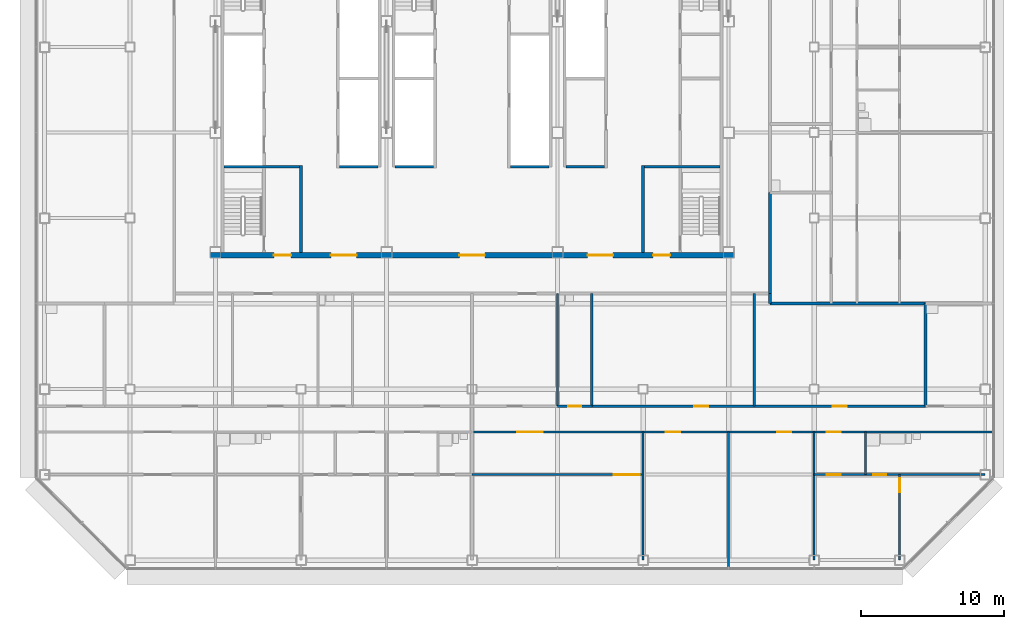
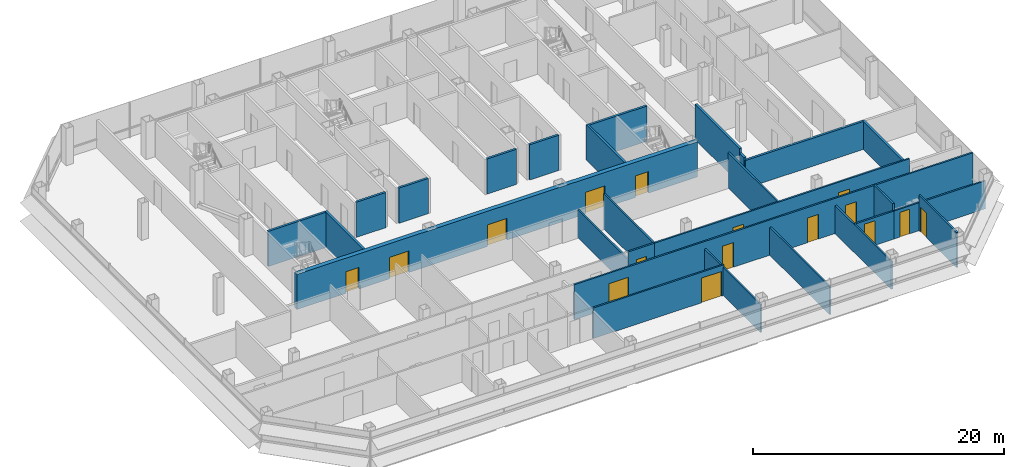
# One storey, part 20 of 26: 28 walls, 16 doors, 16 openings.
"""IFC4 building model written with IfcOpenShell, lengths in metres."""

from ifc_helpers import new_model, si_unit, direction, frame, frame_2d, origin, place, context, subcontext, project, spatial, rectangle, extrude, material, layer, layer_set, type_object, element, fill, save


model = new_model("IFC4")

# Units and contexts
model_context = context("Model", 3, precision=1e-05, world=origin(), true_north=direction((0.0, 1.0)))
body_context = subcontext(model_context, "Body", "Model", "MODEL_VIEW")
ifc_project = project(units=[si_unit("LENGTHUNIT", "METRE"), si_unit("AREAUNIT", "SQUARE_METRE"), si_unit("VOLUMEUNIT", "CUBIC_METRE"), si_unit("PLANEANGLEUNIT", "RADIAN"), si_unit("MASSUNIT", "GRAM", prefix="KILO")], contexts=[model_context])

# Site, building, storey
site_placement = place(None, origin())
site = spatial("IfcSite", under=ifc_project, at=site_placement, CompositionType="ELEMENT")
building_placement = place(site_placement, origin())
building = spatial("IfcBuilding", under=site, at=building_placement, Name="Sorahane Residences", CompositionType="ELEMENT")
storey_placement = place(building_placement, frame((0.0, 0.0, 147.39990234375)))
storey = spatial("IfcBuildingStorey", under=building, at=storey_placement, Name="L33", CompositionType="ELEMENT", Elevation=147.39990234375)

# Walls
ifc_material_1 = material(Name="Concrete blockwork C20 wall", Category="masonry")
ifc_layer_1 = layer(ifc_material_1, 0.199951171875)
ifc_layer_set_1 = layer_set([ifc_layer_1], Name="Corridor wall 200 EI 120")
wall_type_1 = type_object("IfcWallType", Name="Corridor wall 200 EI 120", PredefinedType="SOLIDWALL", material=ifc_layer_set_1)
wall_1_placement = place(storey_placement, frame((44.89990234375, 18.699951171875, 0.0), z_axis=(0.0, 0.0, 1.0), x_axis=(0.0, 1.0, 0.0)))
element("IfcWall", 1, at=wall_1_placement, inside=storey, type_object=wall_type_1, Name="L33 corridor wall", PredefinedType="SOLIDWALL", context=body_context, shape_type="SweptSolid", body=[
    extrude(rectangle(XDim=7.10009765625, YDim=0.199951171875, at=frame_2d((3.550048828125, 0.0))), origin(), (0.0, 0.0, 1.0), 3.420166015625),
])
ifc_material_2 = material(Name="Concrete C30", Category="concrete")
ifc_layer_2 = layer(ifc_material_2, 0.199951171875)
ifc_layer_set_2 = layer_set([ifc_layer_2], Name="Front room wall 200 EI 120")
wall_type_2 = type_object("IfcWallType", Name="Front room wall 200 EI 120", PredefinedType="PARTITIONING", material=ifc_layer_set_2)
for number, where, z_axis, x_axis, name in (
    (2, (12.0, 21.60009765625, 0.0), (0.0, 0.0, 1.0), (0.0, 1.0, 0.0), "L33 front room wall"),
    (3, (36.0, 21.60009765625, 0.0), (0.0, 0.0, 1.0), (0.0, 1.0, 0.0), "L33 front room wall"),
):
    element("IfcWall", number, at=place(storey_placement, frame(where, z_axis=z_axis, x_axis=x_axis)), inside=storey, type_object=wall_type_2, Name=name, PredefinedType="PARTITIONING", context=body_context, shape_type="SweptSolid", body=[
        extrude(rectangle(XDim=6.099853515625, YDim=0.199951171875, at=frame_2d((3.0498046875, 0.0))), origin(), (0.0, 0.0, 1.0), 3.420166015625),
    ])
ifc_material_3 = material(Name="Concrete blockwork C20 wall", Category="masonry")
ifc_layer_3 = layer(ifc_material_3, 0.199951171875)
ifc_layer_set_3 = layer_set([ifc_layer_3], Name="Kitchen wall 200 EI 180")
wall_type_3 = type_object("IfcWallType", Name="Kitchen wall 200 EI 180", PredefinedType="SOLIDWALL", material=ifc_layer_set_3)
wall_2_placement = place(storey_placement, frame((55.800048828125, 10.800048828125, 0.0), z_axis=(0.0, 0.0, 1.0), x_axis=(0.0, 1.0, 0.0)))
element("IfcWall", 4, at=wall_2_placement, inside=storey, type_object=wall_type_3, Name="L33 kitchen wall", PredefinedType="SOLIDWALL", context=body_context, shape_type="SweptSolid", body=[
    extrude(rectangle(XDim=7.199951171875, YDim=0.199951171875, at=frame_2d((3.60009765625, 0.0))), origin(), (0.0, 0.0, 1.0), 2.72021484375),
])
ifc_material_4 = material(Name="Concrete C30", Category="concrete")
ifc_layer_4 = layer(ifc_material_4, 0.199951171875)
ifc_layer_set_4 = layer_set([ifc_layer_4], Name="Lift shaft wall 200 EI 120")
wall_type_4 = type_object("IfcWallType", Name="Lift shaft wall 200 EI 120", PredefinedType="SOLIDWALL", material=ifc_layer_set_4)
for number, where, z_axis, x_axis, name in (
    (5, (14.699951171875, 27.60009765625, 0.0), (0.0, 0.0, 1.0), (1.0, 0.0, 0.0), "L33 lift shaft wall"),
    (6, (18.60009765625, 27.60009765625, 0.0), (0.0, 0.0, 1.0), (1.0, 0.0, 0.0), "L33 lift shaft wall"),
):
    element("IfcWall", number, at=place(storey_placement, frame(where, z_axis=z_axis, x_axis=x_axis)), inside=storey, type_object=wall_type_4, Name=name, PredefinedType="SOLIDWALL", context=body_context, shape_type="SweptSolid", body=[
        extrude(rectangle(XDim=2.699951171875, YDim=0.199951171875, at=frame_2d((1.35009765625, 0.0))), origin(), (0.0, 0.0, 1.0), 3.420166015625),
    ])
ifc_material_5 = material(Name="Gypsum board partition on steel studs", Category="steel")
ifc_layer_5 = layer(ifc_material_5, 0.14990234375)
ifc_layer_set_5 = layer_set([ifc_layer_5], Name="Partition 150 EI 90")
wall_type_5 = type_object("IfcWallType", Name="Partition 150 EI 90", PredefinedType="PARTITIONING", material=ifc_layer_set_5)
wall_3_placement = place(storey_placement, frame((36.0, 0.0, 0.0), z_axis=(0.0, 0.0, 1.0), x_axis=(0.0, 1.0, 0.0)))
element("IfcWall", 7, at=wall_3_placement, inside=storey, type_object=wall_type_5, Name="L33 partition", PredefinedType="PARTITIONING", context=body_context, shape_type="SweptSolid", body=[
    extrude(rectangle(XDim=9.0, YDim=0.14990234375, at=frame_2d((4.5, 0.0))), origin(), (0.0, 0.0, 1.0), 2.72021484375),
])
wall_4_placement = place(storey_placement, frame((42.0, -0.60009765625, 0.0), z_axis=(0.0, 0.0, 1.0), x_axis=(0.0, 1.0, 0.0)))
element("IfcWall", 8, at=wall_4_placement, inside=storey, type_object=wall_type_5, Name="L33 partition", PredefinedType="PARTITIONING", context=body_context, shape_type="SweptSolid", body=[
    extrude(rectangle(XDim=9.60009765625, YDim=0.14990234375, at=frame_2d((4.800048828125, 0.0))), origin(), (0.0, 0.0, 1.0), 2.72021484375),
])
wall_5_placement = place(storey_placement, frame((43.800048828125, 10.800048828125, 0.0), z_axis=(0.0, 0.0, 1.0), x_axis=(0.0, 1.0, 0.0)))
element("IfcWall", 9, at=wall_5_placement, inside=storey, type_object=wall_type_5, Name="L33 partition", PredefinedType="PARTITIONING", context=body_context, shape_type="SweptSolid", body=[
    extrude(rectangle(XDim=7.89990234375, YDim=0.14990234375, at=frame_2d((3.949951171875, 0.0))), origin(), (0.0, 0.0, 1.0), 3.420166015625),
])
wall_6_placement = place(storey_placement, frame((48.0, 0.0, 0.0), z_axis=(0.0, 0.0, 1.0), x_axis=(0.0, 1.0, 0.0)))
element("IfcWall", 10, at=wall_6_placement, inside=storey, type_object=wall_type_5, Name="L33 partition", PredefinedType="PARTITIONING", context=body_context, shape_type="SweptSolid", body=[
    extrude(rectangle(XDim=9.0, YDim=0.14990234375, at=frame_2d((4.5, 0.0))), origin(), (0.0, 0.0, 1.0), 2.72021484375),
])

# Wall, opening, door
wall_7_placement = place(storey_placement, frame((54.0, 0.0, 0.0), z_axis=(0.0, 0.0, 1.0), x_axis=(0.0, 1.0, 0.0)))
wall_7 = element("IfcWall", 11, at=wall_7_placement, inside=storey, type_object=wall_type_5, Name="L33 partition", PredefinedType="PARTITIONING", context=body_context, shape_type="SweptSolid", body=[
    extrude(rectangle(XDim=6.0, YDim=0.14990234375, at=frame_2d((3.0, 0.0))), origin(), (0.0, 0.0, 1.0), 3.420166015625),
])
opening_1_placement = place(wall_7_placement, frame((4.75, 0.0, 0.0)))
opening_1 = element("IfcOpeningElement", 12, at=opening_1_placement, cuts=wall_7, Name="Opening L33-26", PredefinedType="OPENING", context=body_context, shape_type="SweptSolid", body=[
    extrude(rectangle(XDim=1.0, YDim=2.39990234375, at=frame_2d((0.5, 1.199951171875))), frame((0.0, 0.0849609375, 0.0), z_axis=(0.0, -1.0, 0.0), x_axis=(1.0, 0.0, 0.0)), (0.0, 0.0, 1.0), 0.169921875),
])
ifc_material_6 = material(Name="Timber veneered fire door", Category="wood")
door_type_1 = type_object("IfcDoorType", Name="Room door 1000x2400 FD30", OperationType="NOTDEFINED", PredefinedType="DOOR", material=ifc_material_6)
door_1_placement = place(opening_1_placement, frame((1.0, 0.0, 0.0), z_axis=(0.0, 0.0, 1.0), x_axis=(-1.0, 0.0, 0.0)))
door_1 = element("IfcDoor", 13, at=door_1_placement, inside=storey, type_object=door_type_1, Name="Room door L33-26", OperationType="SINGLE_SWING_LEFT", OverallHeight=2.39990234375, OverallWidth=1.0, PredefinedType="DOOR", context=body_context, shape_type="SweptSolid", body=[
    extrude(rectangle(XDim=1.0, YDim=2.39990234375, at=frame_2d((0.5, 1.199951171875))), frame((0.0, 0.02490234375, 0.0), z_axis=(0.0, -1.0, 0.0), x_axis=(1.0, 0.0, 0.0)), (0.0, 0.0, 1.0), 0.050048828125),
])
fill(opening_1, door_1)

# Wall, openings, doors
wall_8_placement = place(storey_placement, frame((32.39990234375, 10.800048828125, 0.0), z_axis=(0.0, 0.0, 1.0), x_axis=(1.0, 0.0, 0.0)))
wall_8 = element("IfcWall", 14, at=wall_8_placement, inside=storey, type_object=wall_type_5, Name="L33 partition", PredefinedType="PARTITIONING", context=body_context, shape_type="SweptSolid", body=[
    extrude(rectangle(XDim=23.400146484375, YDim=0.14990234375, at=frame_2d((11.7001953125, 0.0))), origin(), (0.0, 0.0, 1.0), 3.420166015625),
])
opening_2_placement = place(wall_8_placement, frame((7.179931640625, 0.0, 0.0)))
opening_2 = element("IfcOpeningElement", 15, at=opening_2_placement, cuts=wall_8, Name="Opening L33-17", PredefinedType="OPENING", context=body_context, shape_type="SweptSolid", body=[
    extrude(rectangle(XDim=1.0, YDim=2.39990234375, at=frame_2d((0.5, 1.199951171875))), frame((0.0, 0.0849609375, 0.0), z_axis=(0.0, -1.0, 0.0), x_axis=(1.0, 0.0, 0.0)), (0.0, 0.0, 1.0), 0.169921875),
])
opening_3_placement = place(wall_8_placement, frame((16.89990234375, 0.0, 0.0)))
opening_3 = element("IfcOpeningElement", 16, at=opening_3_placement, cuts=wall_8, Name="Opening L33-18", PredefinedType="OPENING", context=body_context, shape_type="SweptSolid", body=[
    extrude(rectangle(XDim=1.0, YDim=2.39990234375, at=frame_2d((0.5, 1.199951171875))), frame((0.0, 0.0849609375, 0.0), z_axis=(0.0, -1.0, 0.0), x_axis=(1.0, 0.0, 0.0)), (0.0, 0.0, 1.0), 0.169921875),
])
door_2_placement = place(opening_2_placement, origin())
door_2 = element("IfcDoor", 17, at=door_2_placement, inside=storey, type_object=door_type_1, Name="Room door L33-17", OperationType="SINGLE_SWING_RIGHT", OverallHeight=2.39990234375, OverallWidth=1.0, PredefinedType="DOOR", context=body_context, shape_type="SweptSolid", body=[
    extrude(rectangle(XDim=1.0, YDim=2.39990234375, at=frame_2d((0.5, 1.199951171875))), frame((0.0, 0.02490234375, 0.0), z_axis=(0.0, -1.0, 0.0), x_axis=(1.0, 0.0, 0.0)), (0.0, 0.0, 1.0), 0.050048828125),
])
fill(opening_2, door_2)
door_3_placement = place(opening_3_placement, origin())
door_3 = element("IfcDoor", 18, at=door_3_placement, inside=storey, type_object=door_type_1, Name="Room door L33-18", OperationType="SINGLE_SWING_RIGHT", OverallHeight=2.39990234375, OverallWidth=1.0, PredefinedType="DOOR", context=body_context, shape_type="SweptSolid", body=[
    extrude(rectangle(XDim=1.0, YDim=2.39990234375, at=frame_2d((0.5, 1.199951171875))), frame((0.0, 0.02490234375, 0.0), z_axis=(0.0, -1.0, 0.0), x_axis=(1.0, 0.0, 0.0)), (0.0, 0.0, 1.0), 0.050048828125),
])
fill(opening_3, door_3)

# Wall, opening, door
wall_9_placement = place(storey_placement, frame((24.0, 6.0, 0.0), z_axis=(0.0, 0.0, 1.0), x_axis=(1.0, 0.0, 0.0)))
wall_9 = element("IfcWall", 19, at=wall_9_placement, inside=storey, type_object=wall_type_5, Name="L33 partition", PredefinedType="PARTITIONING", context=body_context, shape_type="SweptSolid", body=[
    extrude(rectangle(XDim=12.0, YDim=0.14990234375, at=frame_2d((6.0, 0.0))), origin(), (0.0, 0.0, 1.0), 2.97021484375),
])
opening_4_placement = place(wall_9_placement, frame((9.949951171875, 0.0, 0.0)))
opening_4 = element("IfcOpeningElement", 20, at=opening_4_placement, cuts=wall_9, Name="Opening L33-24", PredefinedType="OPENING", context=body_context, shape_type="SweptSolid", body=[
    extrude(rectangle(XDim=1.800048828125, YDim=2.39990234375, at=frame_2d((0.89990234375, 1.199951171875))), frame((0.0, 0.0849609375, 0.0), z_axis=(0.0, -1.0, 0.0), x_axis=(1.0, 0.0, 0.0)), (0.0, 0.0, 1.0), 0.169921875),
])
ifc_material_7 = material(Name="Timber veneered fire door", Category="wood")
door_type_2 = type_object("IfcDoorType", Name="Double door 1800x2400 FD30", OperationType="NOTDEFINED", PredefinedType="DOOR", material=ifc_material_7)
door_4_placement = place(opening_4_placement, frame((1.800048828125, 0.0, 0.0), z_axis=(0.0, 0.0, 1.0), x_axis=(-1.0, 0.0, 0.0)))
door_4 = element("IfcDoor", 21, at=door_4_placement, inside=storey, type_object=door_type_2, Name="Double door L33-24", OperationType="SINGLE_SWING_LEFT", OverallHeight=2.39990234375, OverallWidth=1.800048828125, PredefinedType="DOOR", context=body_context, shape_type="SweptSolid", body=[
    extrude(rectangle(XDim=1.800048828125, YDim=2.39990234375, at=frame_2d((0.89990234375, 1.199951171875))), frame((0.0, 0.02490234375, 0.0), z_axis=(0.0, -1.0, 0.0), x_axis=(1.0, 0.0, 0.0)), (0.0, 0.0, 1.0), 0.050048828125),
])
fill(opening_4, door_4)

wall_10_placement = place(storey_placement, frame((48.0, 6.0, 0.0), z_axis=(0.0, 0.0, 1.0), x_axis=(1.0, 0.0, 0.0)))
wall_10 = element("IfcWall", 22, at=wall_10_placement, inside=storey, type_object=wall_type_5, Name="L33 partition", PredefinedType="PARTITIONING", context=body_context, shape_type="SweptSolid", body=[
    extrude(rectangle(XDim=3.60009765625, YDim=0.14990234375, at=frame_2d((1.800048828125, 0.0))), origin(), (0.0, 0.0, 1.0), 2.72021484375),
])
opening_5_placement = place(wall_10_placement, frame((0.8798828125, 0.0, 0.0)))
opening_5 = element("IfcOpeningElement", 23, at=opening_5_placement, cuts=wall_10, Name="Opening L33-25", PredefinedType="OPENING", context=body_context, shape_type="SweptSolid", body=[
    extrude(rectangle(XDim=1.0, YDim=2.39990234375, at=frame_2d((0.5, 1.199951171875))), frame((0.0, 0.0849609375, 0.0), z_axis=(0.0, -1.0, 0.0), x_axis=(1.0, 0.0, 0.0)), (0.0, 0.0, 1.0), 0.169921875),
])
door_5_placement = place(opening_5_placement, frame((1.0, 0.0, 0.0), z_axis=(0.0, 0.0, 1.0), x_axis=(-1.0, 0.0, 0.0)))
door_5 = element("IfcDoor", 24, at=door_5_placement, inside=storey, type_object=door_type_1, Name="Room door L33-25", OperationType="SINGLE_SWING_LEFT", OverallHeight=2.39990234375, OverallWidth=1.0, PredefinedType="DOOR", context=body_context, shape_type="SweptSolid", body=[
    extrude(rectangle(XDim=1.0, YDim=2.39990234375, at=frame_2d((0.5, 1.199951171875))), frame((0.0, 0.02490234375, 0.0), z_axis=(0.0, -1.0, 0.0), x_axis=(1.0, 0.0, 0.0)), (0.0, 0.0, 1.0), 0.050048828125),
])
fill(opening_5, door_5)

# Wall, openings, doors
wall_11_placement = place(storey_placement, frame((24.0, 9.0, 0.0), z_axis=(0.0, 0.0, 1.0), x_axis=(1.0, 0.0, 0.0)))
wall_11 = element("IfcWall", 25, at=wall_11_placement, inside=storey, type_object=wall_type_5, Name="L33 partition", PredefinedType="PARTITIONING", context=body_context, shape_type="SweptSolid", body=[
    extrude(rectangle(XDim=27.60009765625, YDim=0.14990234375, at=frame_2d((13.800048828125, 0.0))), origin(), (0.0, 0.0, 1.0), 3.420166015625),
])
opening_6_placement = place(wall_11_placement, frame((3.159912109375, 0.0, 0.0)))
opening_6 = element("IfcOpeningElement", 26, at=opening_6_placement, cuts=wall_11, Name="Opening L33-20", PredefinedType="OPENING", context=body_context, shape_type="SweptSolid", body=[
    extrude(rectangle(XDim=1.800048828125, YDim=2.39990234375, at=frame_2d((0.89990234375, 1.199951171875))), frame((0.0, 0.0849609375, 0.0), z_axis=(0.0, -1.0, 0.0), x_axis=(1.0, 0.0, 0.0)), (0.0, 0.0, 1.0), 0.169921875),
])
opening_7_placement = place(wall_11_placement, frame((13.60009765625, 0.0, 0.0)))
opening_7 = element("IfcOpeningElement", 27, at=opening_7_placement, cuts=wall_11, Name="Opening L33-21", PredefinedType="OPENING", context=body_context, shape_type="SweptSolid", body=[
    extrude(rectangle(XDim=1.0, YDim=2.39990234375, at=frame_2d((0.5, 1.199951171875))), frame((0.0, 0.0849609375, 0.0), z_axis=(0.0, -1.0, 0.0), x_axis=(1.0, 0.0, 0.0)), (0.0, 0.0, 1.0), 0.169921875),
])
opening_8_placement = place(wall_11_placement, frame((21.39990234375, 0.0, 0.0)))
opening_8 = element("IfcOpeningElement", 28, at=opening_8_placement, cuts=wall_11, Name="Opening L33-22", PredefinedType="OPENING", context=body_context, shape_type="SweptSolid", body=[
    extrude(rectangle(XDim=1.0, YDim=2.39990234375, at=frame_2d((0.5, 1.199951171875))), frame((0.0, 0.0849609375, 0.0), z_axis=(0.0, -1.0, 0.0), x_axis=(1.0, 0.0, 0.0)), (0.0, 0.0, 1.0), 0.169921875),
])
opening_9_placement = place(wall_11_placement, frame((24.8798828125, 0.0, 0.0)))
opening_9 = element("IfcOpeningElement", 29, at=opening_9_placement, cuts=wall_11, Name="Opening L33-23", PredefinedType="OPENING", context=body_context, shape_type="SweptSolid", body=[
    extrude(rectangle(XDim=1.0, YDim=2.39990234375, at=frame_2d((0.5, 1.199951171875))), frame((0.0, 0.0849609375, 0.0), z_axis=(0.0, -1.0, 0.0), x_axis=(1.0, 0.0, 0.0)), (0.0, 0.0, 1.0), 0.169921875),
])
door_6_placement = place(opening_6_placement, frame((1.800048828125, 0.0, 0.0), z_axis=(0.0, 0.0, 1.0), x_axis=(-1.0, 0.0, 0.0)))
door_6 = element("IfcDoor", 30, at=door_6_placement, inside=storey, type_object=door_type_2, Name="Double door L33-20", OperationType="SINGLE_SWING_RIGHT", OverallHeight=2.39990234375, OverallWidth=1.800048828125, PredefinedType="DOOR", context=body_context, shape_type="SweptSolid", body=[
    extrude(rectangle(XDim=1.800048828125, YDim=2.39990234375, at=frame_2d((0.89990234375, 1.199951171875))), frame((0.0, 0.02490234375, 0.0), z_axis=(0.0, -1.0, 0.0), x_axis=(1.0, 0.0, 0.0)), (0.0, 0.0, 1.0), 0.050048828125),
])
fill(opening_6, door_6)
door_7_placement = place(opening_7_placement, frame((1.0, 0.0, 0.0), z_axis=(0.0, 0.0, 1.0), x_axis=(-1.0, 0.0, 0.0)))
door_7 = element("IfcDoor", 31, at=door_7_placement, inside=storey, type_object=door_type_1, Name="Room door L33-21", OperationType="SINGLE_SWING_LEFT", OverallHeight=2.39990234375, OverallWidth=1.0, PredefinedType="DOOR", context=body_context, shape_type="SweptSolid", body=[
    extrude(rectangle(XDim=1.0, YDim=2.39990234375, at=frame_2d((0.5, 1.199951171875))), frame((0.0, 0.02490234375, 0.0), z_axis=(0.0, -1.0, 0.0), x_axis=(1.0, 0.0, 0.0)), (0.0, 0.0, 1.0), 0.050048828125),
])
fill(opening_7, door_7)
door_8_placement = place(opening_8_placement, frame((1.0, 0.0, 0.0), z_axis=(0.0, 0.0, 1.0), x_axis=(-1.0, 0.0, 0.0)))
door_8 = element("IfcDoor", 32, at=door_8_placement, inside=storey, type_object=door_type_1, Name="Room door L33-22", OperationType="SINGLE_SWING_RIGHT", OverallHeight=2.39990234375, OverallWidth=1.0, PredefinedType="DOOR", context=body_context, shape_type="SweptSolid", body=[
    extrude(rectangle(XDim=1.0, YDim=2.39990234375, at=frame_2d((0.5, 1.199951171875))), frame((0.0, 0.02490234375, 0.0), z_axis=(0.0, -1.0, 0.0), x_axis=(1.0, 0.0, 0.0)), (0.0, 0.0, 1.0), 0.050048828125),
])
fill(opening_8, door_8)
door_9_placement = place(opening_9_placement, frame((1.0, 0.0, 0.0), z_axis=(0.0, 0.0, 1.0), x_axis=(-1.0, 0.0, 0.0)))
door_9 = element("IfcDoor", 33, at=door_9_placement, inside=storey, type_object=door_type_1, Name="Room door L33-23", OperationType="SINGLE_SWING_LEFT", OverallHeight=2.39990234375, OverallWidth=1.0, PredefinedType="DOOR", context=body_context, shape_type="SweptSolid", body=[
    extrude(rectangle(XDim=1.0, YDim=2.39990234375, at=frame_2d((0.5, 1.199951171875))), frame((0.0, 0.02490234375, 0.0), z_axis=(0.0, -1.0, 0.0), x_axis=(1.0, 0.0, 0.0)), (0.0, 0.0, 1.0), 0.050048828125),
])
fill(opening_9, door_9)

# Walls
ifc_material_8 = material(Name="Concrete blockwork C20 wall", Category="masonry")
ifc_layer_6 = layer(ifc_material_8, 0.199951171875)
ifc_layer_set_6 = layer_set([ifc_layer_6], Name="Party wall 200 EI 120")
wall_type_6 = type_object("IfcWallType", Name="Party wall 200 EI 120", PredefinedType="SOLIDWALL", material=ifc_layer_set_6)
wall_12_placement = place(storey_placement, frame((44.89990234375, 18.0, 0.0), z_axis=(0.0, 0.0, 1.0), x_axis=(0.0, 1.0, 0.0)))
element("IfcWall", 34, at=wall_12_placement, inside=storey, type_object=wall_type_6, Name="L33 party wall", PredefinedType="SOLIDWALL", context=body_context, shape_type="SweptSolid", body=[
    extrude(rectangle(XDim=0.699951171875, YDim=0.199951171875, at=frame_2d((0.35009765625, 0.0))), origin(), (0.0, 0.0, 1.0), 2.97021484375),
])
wall_13_placement = place(storey_placement, frame((44.89990234375, 18.0, 0.0), z_axis=(0.0, 0.0, 1.0), x_axis=(1.0, 0.0, 0.0)))
element("IfcWall", 35, at=wall_13_placement, inside=storey, type_object=wall_type_6, Name="L33 party wall", PredefinedType="SOLIDWALL", context=body_context, shape_type="SweptSolid", body=[
    extrude(rectangle(XDim=10.900146484375, YDim=0.199951171875, at=frame_2d((5.4501953125, 0.0))), origin(), (0.0, 0.0, 1.0), 2.72021484375),
])
ifc_material_9 = material(Name="Concrete C30", Category="concrete")
ifc_layer_7 = layer(ifc_material_9, 0.199951171875)
ifc_layer_set_7 = layer_set([ifc_layer_7], Name="Riser shaft wall 200 EI 120")
wall_type_7 = type_object("IfcWallType", Name="Riser shaft wall 200 EI 120", PredefinedType="SOLIDWALL", material=ifc_layer_set_7)
wall_14_placement = place(storey_placement, frame((26.699951171875, 27.60009765625, 0.0), z_axis=(0.0, 0.0, 1.0), x_axis=(1.0, 0.0, 0.0)))
element("IfcWall", 36, at=wall_14_placement, inside=storey, type_object=wall_type_7, Name="L33 riser wall", PredefinedType="SOLIDWALL", context=body_context, shape_type="SweptSolid", body=[
    extrude(rectangle(XDim=2.699951171875, YDim=0.199951171875, at=frame_2d((1.35009765625, 0.0))), origin(), (0.0, 0.0, 1.0), 3.420166015625),
])
ifc_material_10 = material(Name="Concrete C30", Category="concrete")
ifc_layer_8 = layer(ifc_material_10, 0.199951171875)
ifc_layer_set_8 = layer_set([ifc_layer_8], Name="Service room partition 200 EI 60")
wall_type_8 = type_object("IfcWallType", Name="Service room partition 200 EI 60", PredefinedType="PARTITIONING", material=ifc_layer_set_8)
wall_15_placement = place(storey_placement, frame((30.60009765625, 27.60009765625, 0.0), z_axis=(0.0, 0.0, 1.0), x_axis=(1.0, 0.0, 0.0)))
element("IfcWall", 37, at=wall_15_placement, inside=storey, type_object=wall_type_8, Name="L33 service room wall", PredefinedType="PARTITIONING", context=body_context, shape_type="SweptSolid", body=[
    extrude(rectangle(XDim=2.699951171875, YDim=0.199951171875, at=frame_2d((1.35009765625, 0.0))), origin(), (0.0, 0.0, 1.0), 3.420166015625),
])
ifc_material_11 = material(Name="Concrete C30", Category="concrete")
ifc_layer_9 = layer(ifc_material_11, 0.199951171875)
ifc_layer_set_9 = layer_set([ifc_layer_9], Name="Stair enclosure wall 200 EI 120")
wall_type_9 = type_object("IfcWallType", Name="Stair enclosure wall 200 EI 120", PredefinedType="SOLIDWALL", material=ifc_layer_set_9)
for number, where, z_axis, x_axis, name in (
    (38, (36.10009765625, 27.60009765625, 0.0), (0.0, 0.0, 1.0), (1.0, 0.0, 0.0), "L33 stair enclosure wall"),
    (39, (6.60009765625, 27.60009765625, 0.0), (0.0, 0.0, 1.0), (1.0, 0.0, 0.0), "L33 stair enclosure wall"),
):
    element("IfcWall", number, at=place(storey_placement, frame(where, z_axis=z_axis, x_axis=x_axis)), inside=storey, type_object=wall_type_9, Name=name, PredefinedType="SOLIDWALL", context=body_context, shape_type="SweptSolid", body=[
        extrude(rectangle(XDim=5.2998046875, YDim=0.199951171875, at=frame_2d((2.64990234375, 0.0))), origin(), (0.0, 0.0, 1.0), 3.420166015625),
    ])

# Wall, openings, doors
ifc_material_12 = material(Name="Concrete C30", Category="concrete")
ifc_layer_10 = layer(ifc_material_12, 0.39990234375)
ifc_layer_set_10 = layer_set([ifc_layer_10], Name="Waiting hall wall 400 EI 120")
wall_type_10 = type_object("IfcWallType", Name="Waiting hall wall 400 EI 120", PredefinedType="SOLIDWALL", material=ifc_layer_set_10)
wall_16_placement = place(storey_placement, frame((5.60009765625, 21.39990234375, 0.0), z_axis=(0.0, 0.0, 1.0), x_axis=(1.0, 0.0, 0.0)))
wall_16 = element("IfcWall", 40, at=wall_16_placement, inside=storey, type_object=wall_type_10, Name="L33 waiting hall wall", PredefinedType="SOLIDWALL", context=body_context, shape_type="SweptSolid", body=[
    extrude(rectangle(XDim=36.7998046875, YDim=0.39990234375, at=frame_2d((18.39990234375, 0.0))), origin(), (0.0, 0.0, 1.0), 3.420166015625),
])
opening_10_placement = place(wall_16_placement, frame((8.5, 0.0, 0.0)))
opening_10 = element("IfcOpeningElement", 41, at=opening_10_placement, cuts=wall_16, Name="Opening L33-C01", PredefinedType="OPENING", context=body_context, shape_type="SweptSolid", body=[
    extrude(rectangle(XDim=1.800048828125, YDim=2.10009765625, at=frame_2d((0.89990234375, 1.050048828125))), frame((0.0, 0.2099609375, 0.0), z_axis=(0.0, -1.0, 0.0), x_axis=(1.0, 0.0, 0.0)), (0.0, 0.0, 1.0), 0.419921875),
])
opening_11_placement = place(wall_16_placement, frame((17.5, 0.0, 0.0)))
opening_11 = element("IfcOpeningElement", 42, at=opening_11_placement, cuts=wall_16, Name="Opening L33-C02", PredefinedType="OPENING", context=body_context, shape_type="SweptSolid", body=[
    extrude(rectangle(XDim=1.800048828125, YDim=2.10009765625, at=frame_2d((0.89990234375, 1.050048828125))), frame((0.0, 0.2099609375, 0.0), z_axis=(0.0, -1.0, 0.0), x_axis=(1.0, 0.0, 0.0)), (0.0, 0.0, 1.0), 0.419921875),
])
opening_12_placement = place(wall_16_placement, frame((26.5, 0.0, 0.0)))
opening_12 = element("IfcOpeningElement", 43, at=opening_12_placement, cuts=wall_16, Name="Opening L33-C03", PredefinedType="OPENING", context=body_context, shape_type="SweptSolid", body=[
    extrude(rectangle(XDim=1.800048828125, YDim=2.10009765625, at=frame_2d((0.89990234375, 1.050048828125))), frame((0.0, 0.2099609375, 0.0), z_axis=(0.0, -1.0, 0.0), x_axis=(1.0, 0.0, 0.0)), (0.0, 0.0, 1.0), 0.419921875),
])
opening_13_placement = place(wall_16_placement, frame((4.5, 0.0, 0.0)))
opening_13 = element("IfcOpeningElement", 44, at=opening_13_placement, cuts=wall_16, Name="Opening L33-C04", PredefinedType="OPENING", context=body_context, shape_type="SweptSolid", body=[
    extrude(rectangle(XDim=1.199951171875, YDim=2.10009765625, at=frame_2d((0.60009765625, 1.050048828125))), frame((0.0, 0.2099609375, 0.0), z_axis=(0.0, -1.0, 0.0), x_axis=(1.0, 0.0, 0.0)), (0.0, 0.0, 1.0), 0.419921875),
])
opening_14_placement = place(wall_16_placement, frame((31.10009765625, 0.0, 0.0)))
opening_14 = element("IfcOpeningElement", 45, at=opening_14_placement, cuts=wall_16, Name="Opening L33-C05", PredefinedType="OPENING", context=body_context, shape_type="SweptSolid", body=[
    extrude(rectangle(XDim=1.199951171875, YDim=2.10009765625, at=frame_2d((0.60009765625, 1.050048828125))), frame((0.0, 0.2099609375, 0.0), z_axis=(0.0, -1.0, 0.0), x_axis=(1.0, 0.0, 0.0)), (0.0, 0.0, 1.0), 0.419921875),
])
ifc_material_13 = material(Name="Steel", Category="steel")
door_type_3 = type_object("IfcDoorType", Name="Stair front room door 1200x2100 FD120", OperationType="NOTDEFINED", PredefinedType="DOOR", material=ifc_material_13)
door_10_placement = place(opening_13_placement, frame((1.199951171875, 0.0, 0.0), z_axis=(0.0, 0.0, 1.0), x_axis=(-1.0, 0.0, 0.0)))
door_10 = element("IfcDoor", 46, at=door_10_placement, inside=storey, type_object=door_type_3, Name="Stair front room door Stair S4 front room L33", OperationType="SINGLE_SWING_LEFT", OverallHeight=2.10009765625, OverallWidth=1.199951171875, PredefinedType="DOOR", context=body_context, shape_type="SweptSolid", body=[
    extrude(rectangle(XDim=1.199951171875, YDim=2.10009765625, at=frame_2d((0.60009765625, 1.050048828125))), frame((0.0, 0.02490234375, 0.0), z_axis=(0.0, -1.0, 0.0), x_axis=(1.0, 0.0, 0.0)), (0.0, 0.0, 1.0), 0.050048828125),
])
fill(opening_13, door_10)
door_11_placement = place(opening_14_placement, frame((1.199951171875, 0.0, 0.0), z_axis=(0.0, 0.0, 1.0), x_axis=(-1.0, 0.0, 0.0)))
door_11 = element("IfcDoor", 47, at=door_11_placement, inside=storey, type_object=door_type_3, Name="Stair front room door Stair S5 front room L33", OperationType="SINGLE_SWING_LEFT", OverallHeight=2.10009765625, OverallWidth=1.199951171875, PredefinedType="DOOR", context=body_context, shape_type="SweptSolid", body=[
    extrude(rectangle(XDim=1.199951171875, YDim=2.10009765625, at=frame_2d((0.60009765625, 1.050048828125))), frame((0.0, 0.02490234375, 0.0), z_axis=(0.0, -1.0, 0.0), x_axis=(1.0, 0.0, 0.0)), (0.0, 0.0, 1.0), 0.050048828125),
])
fill(opening_14, door_11)
ifc_material_14 = material(Name="Steel", Category="steel")
door_type_4 = type_object("IfcDoorType", Name="Waiting hall door 1800x2100 FD60", OperationType="NOTDEFINED", PredefinedType="DOOR", material=ifc_material_14)
door_12_placement = place(opening_10_placement, frame((1.800048828125, 0.0, 0.0), z_axis=(0.0, 0.0, 1.0), x_axis=(-1.0, 0.0, 0.0)))
door_12 = element("IfcDoor", 48, at=door_12_placement, inside=storey, type_object=door_type_4, Name="Waiting hall door Residents' waiting hall L33", OperationType="SINGLE_SWING_LEFT", OverallHeight=2.10009765625, OverallWidth=1.800048828125, PredefinedType="DOOR", context=body_context, shape_type="SweptSolid", body=[
    extrude(rectangle(XDim=1.800048828125, YDim=2.10009765625, at=frame_2d((0.89990234375, 1.050048828125))), frame((0.0, 0.02490234375, 0.0), z_axis=(0.0, -1.0, 0.0), x_axis=(1.0, 0.0, 0.0)), (0.0, 0.0, 1.0), 0.050048828125),
])
fill(opening_10, door_12)
door_13_placement = place(opening_11_placement, frame((1.800048828125, 0.0, 0.0), z_axis=(0.0, 0.0, 1.0), x_axis=(-1.0, 0.0, 0.0)))
door_13 = element("IfcDoor", 49, at=door_13_placement, inside=storey, type_object=door_type_4, Name="Waiting hall door Residents' waiting hall L33", OperationType="SINGLE_SWING_LEFT", OverallHeight=2.10009765625, OverallWidth=1.800048828125, PredefinedType="DOOR", context=body_context, shape_type="SweptSolid", body=[
    extrude(rectangle(XDim=1.800048828125, YDim=2.10009765625, at=frame_2d((0.89990234375, 1.050048828125))), frame((0.0, 0.02490234375, 0.0), z_axis=(0.0, -1.0, 0.0), x_axis=(1.0, 0.0, 0.0)), (0.0, 0.0, 1.0), 0.050048828125),
])
fill(opening_11, door_13)
door_14_placement = place(opening_12_placement, frame((1.800048828125, 0.0, 0.0), z_axis=(0.0, 0.0, 1.0), x_axis=(-1.0, 0.0, 0.0)))
door_14 = element("IfcDoor", 50, at=door_14_placement, inside=storey, type_object=door_type_4, Name="Waiting hall door Residents' waiting hall L33", OperationType="SINGLE_SWING_LEFT", OverallHeight=2.10009765625, OverallWidth=1.800048828125, PredefinedType="DOOR", context=body_context, shape_type="SweptSolid", body=[
    extrude(rectangle(XDim=1.800048828125, YDim=2.10009765625, at=frame_2d((0.89990234375, 1.050048828125))), frame((0.0, 0.02490234375, 0.0), z_axis=(0.0, -1.0, 0.0), x_axis=(1.0, 0.0, 0.0)), (0.0, 0.0, 1.0), 0.050048828125),
])
fill(opening_12, door_14)

# Walls
ifc_material_15 = material(Name="Gypsum board partition on steel studs", Category="steel")
ifc_layer_11 = layer(ifc_material_15, 0.14990234375)
ifc_layer_set_11 = layer_set([ifc_layer_11], Name="Wet wall 150 EI 90")
wall_type_11 = type_object("IfcWallType", Name="Wet wall 150 EI 90", PredefinedType="PARTITIONING", material=ifc_layer_set_11)
wall_17_placement = place(storey_placement, frame((30.0, 10.800048828125, 0.0), z_axis=(0.0, 0.0, 1.0), x_axis=(0.0, 1.0, 0.0)))
element("IfcWall", 51, at=wall_17_placement, inside=storey, type_object=wall_type_11, Name="L33 wet wall", PredefinedType="PARTITIONING", context=body_context, shape_type="SweptSolid", body=[
    extrude(rectangle(XDim=7.89990234375, YDim=0.14990234375, at=frame_2d((3.949951171875, 0.0))), origin(), (0.0, 0.0, 1.0), 2.72021484375),
])
wall_18_placement = place(storey_placement, frame((32.39990234375, 10.800048828125, 0.0), z_axis=(0.0, 0.0, 1.0), x_axis=(0.0, 1.0, 0.0)))
element("IfcWall", 52, at=wall_18_placement, inside=storey, type_object=wall_type_11, Name="L33 wet wall", PredefinedType="PARTITIONING", context=body_context, shape_type="SweptSolid", body=[
    extrude(rectangle(XDim=7.89990234375, YDim=0.14990234375, at=frame_2d((3.949951171875, 0.0))), origin(), (0.0, 0.0, 1.0), 3.420166015625),
])
wall_19_placement = place(storey_placement, frame((51.60009765625, 6.0, 0.0), z_axis=(0.0, 0.0, 1.0), x_axis=(0.0, 1.0, 0.0)))
element("IfcWall", 53, at=wall_19_placement, inside=storey, type_object=wall_type_11, Name="L33 wet wall", PredefinedType="PARTITIONING", context=body_context, shape_type="SweptSolid", body=[
    extrude(rectangle(XDim=3.0, YDim=0.14990234375, at=frame_2d((1.5, 0.0))), origin(), (0.0, 0.0, 1.0), 3.420166015625),
])

# Wall, opening, door
wall_20_placement = place(storey_placement, frame((30.0, 10.800048828125, 0.0), z_axis=(0.0, 0.0, 1.0), x_axis=(1.0, 0.0, 0.0)))
wall_20 = element("IfcWall", 54, at=wall_20_placement, inside=storey, type_object=wall_type_11, Name="L33 wet wall", PredefinedType="PARTITIONING", context=body_context, shape_type="SweptSolid", body=[
    extrude(rectangle(XDim=2.39990234375, YDim=0.14990234375, at=frame_2d((1.199951171875, 0.0))), origin(), (0.0, 0.0, 1.0), 3.420166015625),
])
opening_15_placement = place(wall_20_placement, frame((0.75, 0.0, 0.0)))
opening_15 = element("IfcOpeningElement", 55, at=opening_15_placement, cuts=wall_20, Name="Opening L33-16", PredefinedType="OPENING", context=body_context, shape_type="SweptSolid", body=[
    extrude(rectangle(XDim=0.89990234375, YDim=2.39990234375, at=frame_2d((0.449951171875, 1.199951171875))), frame((0.0, 0.0849609375, 0.0), z_axis=(0.0, -1.0, 0.0), x_axis=(1.0, 0.0, 0.0)), (0.0, 0.0, 1.0), 0.169921875),
])
ifc_material_16 = material(Name="Timber veneered fire door", Category="wood")
door_type_5 = type_object("IfcDoorType", Name="Bathroom door 900x2400 FD30", OperationType="NOTDEFINED", PredefinedType="DOOR", material=ifc_material_16)
door_15_placement = place(opening_15_placement, frame((0.89990234375, 0.0, 0.0), z_axis=(0.0, 0.0, 1.0), x_axis=(-1.0, 0.0, 0.0)))
door_15 = element("IfcDoor", 56, at=door_15_placement, inside=storey, type_object=door_type_5, Name="Bathroom door L33-16", OperationType="SINGLE_SWING_RIGHT", OverallHeight=2.39990234375, OverallWidth=0.89990234375, PredefinedType="DOOR", context=body_context, shape_type="SweptSolid", body=[
    extrude(rectangle(XDim=0.89990234375, YDim=2.39990234375, at=frame_2d((0.449951171875, 1.199951171875))), frame((0.0, 0.02490234375, 0.0), z_axis=(0.0, -1.0, 0.0), x_axis=(1.0, 0.0, 0.0)), (0.0, 0.0, 1.0), 0.050048828125),
])
fill(opening_15, door_15)

wall_21_placement = place(storey_placement, frame((51.60009765625, 6.0, 0.0), z_axis=(0.0, 0.0, 1.0), x_axis=(1.0, 0.0, 0.0)))
wall_21 = element("IfcWall", 57, at=wall_21_placement, inside=storey, type_object=wall_type_11, Name="L33 wet wall", PredefinedType="PARTITIONING", context=body_context, shape_type="SweptSolid", body=[
    extrude(rectangle(XDim=8.39990234375, YDim=0.14990234375, at=frame_2d((4.199951171875, 0.0))), origin(), (0.0, 0.0, 1.0), 2.72021484375),
])
opening_16_placement = place(wall_21_placement, frame((0.550048828125, 0.0, 0.0)))
opening_16 = element("IfcOpeningElement", 58, at=opening_16_placement, cuts=wall_21, Name="Opening L33-27", PredefinedType="OPENING", context=body_context, shape_type="SweptSolid", body=[
    extrude(rectangle(XDim=0.89990234375, YDim=2.39990234375, at=frame_2d((0.449951171875, 1.199951171875))), frame((0.0, 0.0849609375, 0.0), z_axis=(0.0, -1.0, 0.0), x_axis=(1.0, 0.0, 0.0)), (0.0, 0.0, 1.0), 0.169921875),
])
door_16_placement = place(opening_16_placement, frame((0.89990234375, 0.0, 0.0), z_axis=(0.0, 0.0, 1.0), x_axis=(-1.0, 0.0, 0.0)))
door_16 = element("IfcDoor", 59, at=door_16_placement, inside=storey, type_object=door_type_5, Name="Bathroom door L33-27", OperationType="SINGLE_SWING_RIGHT", OverallHeight=2.39990234375, OverallWidth=0.89990234375, PredefinedType="DOOR", context=body_context, shape_type="SweptSolid", body=[
    extrude(rectangle(XDim=0.89990234375, YDim=2.39990234375, at=frame_2d((0.449951171875, 1.199951171875))), frame((0.0, 0.02490234375, 0.0), z_axis=(0.0, -1.0, 0.0), x_axis=(1.0, 0.0, 0.0)), (0.0, 0.0, 1.0), 0.050048828125),
])
fill(opening_16, door_16)

# Wall
wall_22_placement = place(storey_placement, frame((51.60009765625, 9.0, 0.0), z_axis=(0.0, 0.0, 1.0), x_axis=(1.0, 0.0, 0.0)))
element("IfcWall", 60, at=wall_22_placement, inside=storey, type_object=wall_type_11, Name="L33 wet wall", PredefinedType="PARTITIONING", context=body_context, shape_type="SweptSolid", body=[
    extrude(rectangle(XDim=9.0, YDim=0.14990234375, at=frame_2d((4.5, 0.0))), origin(), (0.0, 0.0, 1.0), 3.420166015625),
])

save(model, "model.ifc")
